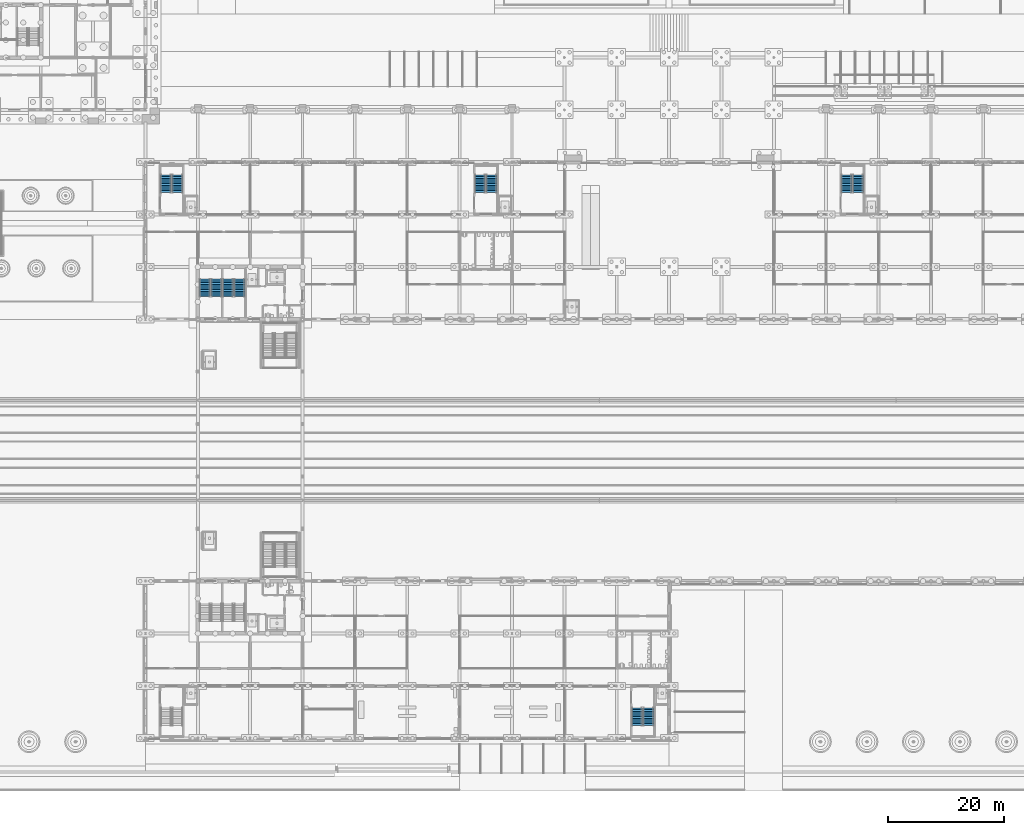
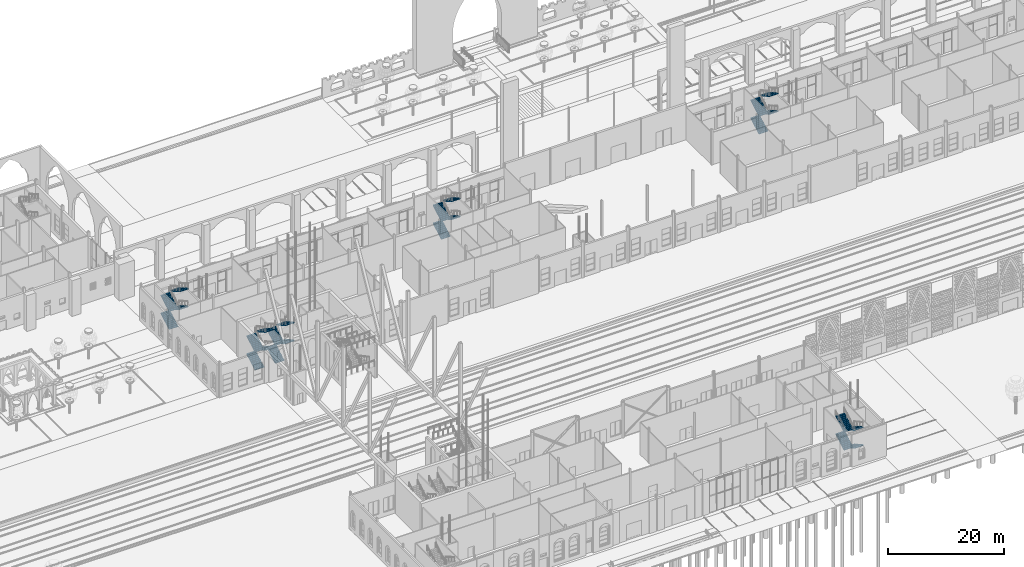
# One storey, part 140 of 250: 24 stair flights, 6 elements without a shape of their own.
"""IFC4 building model written with IfcOpenShell, lengths in metres."""

from ifc_helpers import new_model, si_unit, direction, frame, origin, place, context, subcontext, project, spatial, polyline, outline, extrude, material, type_object, element, aggregate, save


model = new_model("IFC4")

# Units and contexts
model_context = context("Model", 3, precision=1e-05, world=origin(), true_north=direction((0.0, 1.0)))
body_context = subcontext(model_context, "Body", "Model", "MODEL_VIEW")
ifc_project = project(units=[si_unit("LENGTHUNIT", "METRE"), si_unit("AREAUNIT", "SQUARE_METRE"), si_unit("VOLUMEUNIT", "CUBIC_METRE"), si_unit("PLANEANGLEUNIT", "RADIAN"), si_unit("MASSUNIT", "GRAM", prefix="KILO")], contexts=[model_context])

# Site, building, storey
site_placement = place(None, origin())
site = spatial("IfcSite", under=ifc_project, at=site_placement, CompositionType="ELEMENT")
building_placement = place(site_placement, origin())
building = spatial("IfcBuilding", under=site, at=building_placement, Name="Baradari Gate Terminus", CompositionType="ELEMENT")
storey_placement = place(building_placement, origin())
storey = spatial("IfcBuildingStorey", under=building, at=storey_placement, Name="L00", CompositionType="ELEMENT", Elevation=0.0)

# Stair, stair flights
ifc_material_1 = material(Name="Concrete C32/40", Category="concrete")
stair_type_1 = type_object("IfcStairType", Name="Exit stair ST-GN1 riser 170 x 1800", PredefinedType="DOUBLE_RETURN_STAIR", material=ifc_material_1)
stair_1_placement = place(storey_placement, origin())
stair_1 = element("IfcStair", 1, at=stair_1_placement, inside=storey, type_object=stair_type_1, Name="Stair ST-GN1 L00 to L01", PredefinedType="DOUBLE_RETURN_STAIR")
ifc_material_2 = material(Name="Concrete C32/40", Category="concrete")
stair_flight_type = type_object("IfcStairFlightType", Name="Stair flight 170/300 x 1800", PredefinedType="STRAIGHT", material=ifc_material_2)
stair_flight_1_placement = place(storey_placement, frame((73.199951171875, 84.89990234375, 0.0), z_axis=(0.0, 0.0, 1.0), x_axis=(0.0, 1.0, 0.0)))
stair_flight_1 = element("IfcStairFlight", 2, at=stair_flight_1_placement, type_object=stair_flight_type, Name="ST-GN1 flight 1", NumberOfRisers=11, NumberOfTreads=10, PredefinedType="STRAIGHT", RiserHeight=0.170455, TreadLength=0.3, context=body_context, shape_type="SweptSolid", body=[
    extrude(outline(polyline([(0.0, 0.0), (0.0, 0.17041015625), (0.300048828125, 0.17041015625), (0.300048828125, 0.3408203125), (0.60009765625, 0.3408203125), (0.60009765625, 0.511474609375), (0.89990234375, 0.511474609375), (0.89990234375, 0.681884765625), (1.199951171875, 0.681884765625), (1.199951171875, 0.852294921875), (1.5, 0.852294921875), (1.5, 1.022705078125), (1.800048828125, 1.022705078125), (1.800048828125, 1.193115234375), (2.10009765625, 1.193115234375), (2.10009765625, 1.363525390625), (2.39990234375, 1.363525390625), (2.39990234375, 1.5341796875), (2.699951171875, 1.5341796875), (2.699951171875, 1.70458984375), (3.0, 1.70458984375), (3.0, 1.875), (3.0, 1.5322265625), (0.303466796875, 0.0), (0.0, 0.0)])), frame((0.0, 0.89990234375, 0.0), z_axis=(0.0, -1.0, 0.0), x_axis=(1.0, 0.0, 0.0)), (0.0, 0.0, 1.0), 1.800048828125),
])
stair_flight_2_placement = place(storey_placement, frame((75.199951171875, 87.89990234375, 1.875), z_axis=(0.0, 0.0, 1.0), x_axis=(0.0, -1.0, 0.0)))
stair_flight_2 = element("IfcStairFlight", 3, at=stair_flight_2_placement, type_object=stair_flight_type, Name="ST-GN1 flight 2", NumberOfRisers=11, NumberOfTreads=10, PredefinedType="STRAIGHT", RiserHeight=0.170455, TreadLength=0.3, context=body_context, shape_type="SweptSolid", body=[
    extrude(outline(polyline([(0.0, 0.0), (0.0, 0.17041015625), (0.300048828125, 0.17041015625), (0.300048828125, 0.3408203125), (0.60009765625, 0.3408203125), (0.60009765625, 0.511474609375), (0.89990234375, 0.511474609375), (0.89990234375, 0.681884765625), (1.199951171875, 0.681884765625), (1.199951171875, 0.852294921875), (1.5, 0.852294921875), (1.5, 1.022705078125), (1.800048828125, 1.022705078125), (1.800048828125, 1.193115234375), (2.10009765625, 1.193115234375), (2.10009765625, 1.363525390625), (2.39990234375, 1.363525390625), (2.39990234375, 1.5341796875), (2.699951171875, 1.5341796875), (2.699951171875, 1.70458984375), (3.0, 1.70458984375), (3.0, 1.875), (3.0, 1.5322265625), (0.303466796875, 0.0), (0.0, 0.0)])), frame((0.0, 0.89990234375, 0.0), z_axis=(0.0, -1.0, 0.0), x_axis=(1.0, 0.0, 0.0)), (0.0, 0.0, 1.0), 1.800048828125),
])
stair_flight_3_placement = place(storey_placement, frame((73.199951171875, 84.89990234375, 3.75), z_axis=(0.0, 0.0, 1.0), x_axis=(0.0, 1.0, 0.0)))
stair_flight_3 = element("IfcStairFlight", 4, at=stair_flight_3_placement, type_object=stair_flight_type, Name="ST-GN1 flight 3", NumberOfRisers=11, NumberOfTreads=10, PredefinedType="STRAIGHT", RiserHeight=0.170455, TreadLength=0.3, context=body_context, shape_type="SweptSolid", body=[
    extrude(outline(polyline([(0.0, 0.0), (0.0, 0.17041015625), (0.300048828125, 0.17041015625), (0.300048828125, 0.3408203125), (0.60009765625, 0.3408203125), (0.60009765625, 0.511474609375), (0.89990234375, 0.511474609375), (0.89990234375, 0.681884765625), (1.199951171875, 0.681884765625), (1.199951171875, 0.852294921875), (1.5, 0.852294921875), (1.5, 1.022705078125), (1.800048828125, 1.022705078125), (1.800048828125, 1.193115234375), (2.10009765625, 1.193115234375), (2.10009765625, 1.363525390625), (2.39990234375, 1.363525390625), (2.39990234375, 1.5341796875), (2.699951171875, 1.5341796875), (2.699951171875, 1.70458984375), (3.0, 1.70458984375), (3.0, 1.875), (3.0, 1.5322265625), (0.303466796875, 0.0), (0.0, 0.0)])), frame((0.0, 0.89990234375, 0.0), z_axis=(0.0, -1.0, 0.0), x_axis=(1.0, 0.0, 0.0)), (0.0, 0.0, 1.0), 1.800048828125),
])
stair_flight_4_placement = place(storey_placement, frame((75.199951171875, 87.89990234375, 5.625), z_axis=(0.0, 0.0, 1.0), x_axis=(0.0, -1.0, 0.0)))
stair_flight_4 = element("IfcStairFlight", 5, at=stair_flight_4_placement, type_object=stair_flight_type, Name="ST-GN1 flight 4", NumberOfRisers=11, NumberOfTreads=10, PredefinedType="STRAIGHT", RiserHeight=0.170455, TreadLength=0.3, context=body_context, shape_type="SweptSolid", body=[
    extrude(outline(polyline([(0.0, 0.0), (0.0, 0.17041015625), (0.300048828125, 0.17041015625), (0.300048828125, 0.3408203125), (0.60009765625, 0.3408203125), (0.60009765625, 0.511474609375), (0.89990234375, 0.511474609375), (0.89990234375, 0.681884765625), (1.199951171875, 0.681884765625), (1.199951171875, 0.852294921875), (1.5, 0.852294921875), (1.5, 1.022705078125), (1.800048828125, 1.022705078125), (1.800048828125, 1.193115234375), (2.10009765625, 1.193115234375), (2.10009765625, 1.363525390625), (2.39990234375, 1.363525390625), (2.39990234375, 1.5341796875), (2.699951171875, 1.5341796875), (2.699951171875, 1.70458984375), (3.0, 1.70458984375), (3.0, 1.875), (3.0, 1.5322265625), (0.303466796875, 0.0), (0.0, 0.0)])), frame((0.0, 0.89990234375, 0.0), z_axis=(0.0, -1.0, 0.0), x_axis=(1.0, 0.0, 0.0)), (0.0, 0.0, 1.0), 1.800048828125),
])
aggregate(stair_1, [stair_flight_1, stair_flight_2, stair_flight_3, stair_flight_4])

ifc_material_3 = material(Name="Concrete C32/40", Category="concrete")
stair_type_2 = type_object("IfcStairType", Name="Exit stair ST-GN2 riser 170 x 1800", PredefinedType="DOUBLE_RETURN_STAIR", material=ifc_material_3)
stair_2_placement = place(storey_placement, origin())
stair_2 = element("IfcStair", 6, at=stair_2_placement, inside=storey, type_object=stair_type_2, Name="Stair ST-GN2 L00 to L01", PredefinedType="DOUBLE_RETURN_STAIR")
stair_flight_5_placement = place(storey_placement, frame((77.199951171875, 84.89990234375, 0.0), z_axis=(0.0, 0.0, 1.0), x_axis=(0.0, 1.0, 0.0)))
stair_flight_5 = element("IfcStairFlight", 7, at=stair_flight_5_placement, type_object=stair_flight_type, Name="ST-GN2 flight 1", NumberOfRisers=11, NumberOfTreads=10, PredefinedType="STRAIGHT", RiserHeight=0.170455, TreadLength=0.3, context=body_context, shape_type="SweptSolid", body=[
    extrude(outline(polyline([(0.0, 0.0), (0.0, 0.17041015625), (0.300048828125, 0.17041015625), (0.300048828125, 0.3408203125), (0.60009765625, 0.3408203125), (0.60009765625, 0.511474609375), (0.89990234375, 0.511474609375), (0.89990234375, 0.681884765625), (1.199951171875, 0.681884765625), (1.199951171875, 0.852294921875), (1.5, 0.852294921875), (1.5, 1.022705078125), (1.800048828125, 1.022705078125), (1.800048828125, 1.193115234375), (2.10009765625, 1.193115234375), (2.10009765625, 1.363525390625), (2.39990234375, 1.363525390625), (2.39990234375, 1.5341796875), (2.699951171875, 1.5341796875), (2.699951171875, 1.70458984375), (3.0, 1.70458984375), (3.0, 1.875), (3.0, 1.5322265625), (0.303466796875, 0.0), (0.0, 0.0)])), frame((0.0, 0.89990234375, 0.0), z_axis=(0.0, -1.0, 0.0), x_axis=(1.0, 0.0, 0.0)), (0.0, 0.0, 1.0), 1.800048828125),
])
stair_flight_6_placement = place(storey_placement, frame((79.199951171875, 87.89990234375, 1.875), z_axis=(0.0, 0.0, 1.0), x_axis=(0.0, -1.0, 0.0)))
stair_flight_6 = element("IfcStairFlight", 8, at=stair_flight_6_placement, type_object=stair_flight_type, Name="ST-GN2 flight 2", NumberOfRisers=11, NumberOfTreads=10, PredefinedType="STRAIGHT", RiserHeight=0.170455, TreadLength=0.3, context=body_context, shape_type="SweptSolid", body=[
    extrude(outline(polyline([(0.0, 0.0), (0.0, 0.17041015625), (0.300048828125, 0.17041015625), (0.300048828125, 0.3408203125), (0.60009765625, 0.3408203125), (0.60009765625, 0.511474609375), (0.89990234375, 0.511474609375), (0.89990234375, 0.681884765625), (1.199951171875, 0.681884765625), (1.199951171875, 0.852294921875), (1.5, 0.852294921875), (1.5, 1.022705078125), (1.800048828125, 1.022705078125), (1.800048828125, 1.193115234375), (2.10009765625, 1.193115234375), (2.10009765625, 1.363525390625), (2.39990234375, 1.363525390625), (2.39990234375, 1.5341796875), (2.699951171875, 1.5341796875), (2.699951171875, 1.70458984375), (3.0, 1.70458984375), (3.0, 1.875), (3.0, 1.5322265625), (0.303466796875, 0.0), (0.0, 0.0)])), frame((0.0, 0.89990234375, 0.0), z_axis=(0.0, -1.0, 0.0), x_axis=(1.0, 0.0, 0.0)), (0.0, 0.0, 1.0), 1.800048828125),
])
stair_flight_7_placement = place(storey_placement, frame((77.199951171875, 84.89990234375, 3.75), z_axis=(0.0, 0.0, 1.0), x_axis=(0.0, 1.0, 0.0)))
stair_flight_7 = element("IfcStairFlight", 9, at=stair_flight_7_placement, type_object=stair_flight_type, Name="ST-GN2 flight 3", NumberOfRisers=11, NumberOfTreads=10, PredefinedType="STRAIGHT", RiserHeight=0.170455, TreadLength=0.3, context=body_context, shape_type="SweptSolid", body=[
    extrude(outline(polyline([(0.0, 0.0), (0.0, 0.17041015625), (0.300048828125, 0.17041015625), (0.300048828125, 0.3408203125), (0.60009765625, 0.3408203125), (0.60009765625, 0.511474609375), (0.89990234375, 0.511474609375), (0.89990234375, 0.681884765625), (1.199951171875, 0.681884765625), (1.199951171875, 0.852294921875), (1.5, 0.852294921875), (1.5, 1.022705078125), (1.800048828125, 1.022705078125), (1.800048828125, 1.193115234375), (2.10009765625, 1.193115234375), (2.10009765625, 1.363525390625), (2.39990234375, 1.363525390625), (2.39990234375, 1.5341796875), (2.699951171875, 1.5341796875), (2.699951171875, 1.70458984375), (3.0, 1.70458984375), (3.0, 1.875), (3.0, 1.5322265625), (0.303466796875, 0.0), (0.0, 0.0)])), frame((0.0, 0.89990234375, 0.0), z_axis=(0.0, -1.0, 0.0), x_axis=(1.0, 0.0, 0.0)), (0.0, 0.0, 1.0), 1.800048828125),
])
stair_flight_8_placement = place(storey_placement, frame((79.199951171875, 87.89990234375, 5.625), z_axis=(0.0, 0.0, 1.0), x_axis=(0.0, -1.0, 0.0)))
stair_flight_8 = element("IfcStairFlight", 10, at=stair_flight_8_placement, type_object=stair_flight_type, Name="ST-GN2 flight 4", NumberOfRisers=11, NumberOfTreads=10, PredefinedType="STRAIGHT", RiserHeight=0.170455, TreadLength=0.3, context=body_context, shape_type="SweptSolid", body=[
    extrude(outline(polyline([(0.0, 0.0), (0.0, 0.17041015625), (0.300048828125, 0.17041015625), (0.300048828125, 0.3408203125), (0.60009765625, 0.3408203125), (0.60009765625, 0.511474609375), (0.89990234375, 0.511474609375), (0.89990234375, 0.681884765625), (1.199951171875, 0.681884765625), (1.199951171875, 0.852294921875), (1.5, 0.852294921875), (1.5, 1.022705078125), (1.800048828125, 1.022705078125), (1.800048828125, 1.193115234375), (2.10009765625, 1.193115234375), (2.10009765625, 1.363525390625), (2.39990234375, 1.363525390625), (2.39990234375, 1.5341796875), (2.699951171875, 1.5341796875), (2.699951171875, 1.70458984375), (3.0, 1.70458984375), (3.0, 1.875), (3.0, 1.5322265625), (0.303466796875, 0.0), (0.0, 0.0)])), frame((0.0, 0.89990234375, 0.0), z_axis=(0.0, -1.0, 0.0), x_axis=(1.0, 0.0, 0.0)), (0.0, 0.0, 1.0), 1.800048828125),
])
aggregate(stair_2, [stair_flight_5, stair_flight_6, stair_flight_7, stair_flight_8])

ifc_material_4 = material(Name="Concrete C32/40", Category="concrete")
stair_type_3 = type_object("IfcStairType", Name="Exit stair ST-H1 riser 170 x 1800", PredefinedType="DOUBLE_RETURN_STAIR", material=ifc_material_4)
stair_3_placement = place(storey_placement, origin())
stair_3 = element("IfcStair", 11, at=stair_3_placement, inside=storey, type_object=stair_type_3, Name="Stair ST-H1 L00 to L01", PredefinedType="DOUBLE_RETURN_STAIR")
stair_flight_9_placement = place(storey_placement, frame((66.5, 102.800048828125, 0.0), z_axis=(0.0, 0.0, 1.0), x_axis=(0.0, 1.0, 0.0)))
stair_flight_9 = element("IfcStairFlight", 12, at=stair_flight_9_placement, type_object=stair_flight_type, Name="ST-H1 flight 1", NumberOfRisers=11, NumberOfTreads=10, PredefinedType="STRAIGHT", RiserHeight=0.170455, TreadLength=0.3, context=body_context, shape_type="SweptSolid", body=[
    extrude(outline(polyline([(0.0, 0.0), (0.0, 0.17041015625), (0.300048828125, 0.17041015625), (0.300048828125, 0.3408203125), (0.60009765625, 0.3408203125), (0.60009765625, 0.511474609375), (0.89990234375, 0.511474609375), (0.89990234375, 0.681884765625), (1.199951171875, 0.681884765625), (1.199951171875, 0.852294921875), (1.5, 0.852294921875), (1.5, 1.022705078125), (1.800048828125, 1.022705078125), (1.800048828125, 1.193115234375), (2.10009765625, 1.193115234375), (2.10009765625, 1.363525390625), (2.39990234375, 1.363525390625), (2.39990234375, 1.5341796875), (2.699951171875, 1.5341796875), (2.699951171875, 1.70458984375), (3.0, 1.70458984375), (3.0, 1.875), (3.0, 1.5322265625), (0.303466796875, 0.0), (0.0, 0.0)])), frame((0.0, 0.89990234375, 0.0), z_axis=(0.0, -1.0, 0.0), x_axis=(1.0, 0.0, 0.0)), (0.0, 0.0, 1.0), 1.800048828125),
])
stair_flight_10_placement = place(storey_placement, frame((68.5, 105.800048828125, 1.875), z_axis=(0.0, 0.0, 1.0), x_axis=(0.0, -1.0, 0.0)))
stair_flight_10 = element("IfcStairFlight", 13, at=stair_flight_10_placement, type_object=stair_flight_type, Name="ST-H1 flight 2", NumberOfRisers=11, NumberOfTreads=10, PredefinedType="STRAIGHT", RiserHeight=0.170455, TreadLength=0.3, context=body_context, shape_type="SweptSolid", body=[
    extrude(outline(polyline([(0.0, 0.0), (0.0, 0.17041015625), (0.300048828125, 0.17041015625), (0.300048828125, 0.3408203125), (0.60009765625, 0.3408203125), (0.60009765625, 0.511474609375), (0.89990234375, 0.511474609375), (0.89990234375, 0.681884765625), (1.199951171875, 0.681884765625), (1.199951171875, 0.852294921875), (1.5, 0.852294921875), (1.5, 1.022705078125), (1.800048828125, 1.022705078125), (1.800048828125, 1.193115234375), (2.10009765625, 1.193115234375), (2.10009765625, 1.363525390625), (2.39990234375, 1.363525390625), (2.39990234375, 1.5341796875), (2.699951171875, 1.5341796875), (2.699951171875, 1.70458984375), (3.0, 1.70458984375), (3.0, 1.875), (3.0, 1.5322265625), (0.303466796875, 0.0), (0.0, 0.0)])), frame((0.0, 0.89990234375, 0.0), z_axis=(0.0, -1.0, 0.0), x_axis=(1.0, 0.0, 0.0)), (0.0, 0.0, 1.0), 1.800048828125),
])
stair_flight_11_placement = place(storey_placement, frame((66.5, 102.800048828125, 3.75), z_axis=(0.0, 0.0, 1.0), x_axis=(0.0, 1.0, 0.0)))
stair_flight_11 = element("IfcStairFlight", 14, at=stair_flight_11_placement, type_object=stair_flight_type, Name="ST-H1 flight 3", NumberOfRisers=11, NumberOfTreads=10, PredefinedType="STRAIGHT", RiserHeight=0.170455, TreadLength=0.3, context=body_context, shape_type="SweptSolid", body=[
    extrude(outline(polyline([(0.0, 0.0), (0.0, 0.17041015625), (0.300048828125, 0.17041015625), (0.300048828125, 0.3408203125), (0.60009765625, 0.3408203125), (0.60009765625, 0.511474609375), (0.89990234375, 0.511474609375), (0.89990234375, 0.681884765625), (1.199951171875, 0.681884765625), (1.199951171875, 0.852294921875), (1.5, 0.852294921875), (1.5, 1.022705078125), (1.800048828125, 1.022705078125), (1.800048828125, 1.193115234375), (2.10009765625, 1.193115234375), (2.10009765625, 1.363525390625), (2.39990234375, 1.363525390625), (2.39990234375, 1.5341796875), (2.699951171875, 1.5341796875), (2.699951171875, 1.70458984375), (3.0, 1.70458984375), (3.0, 1.875), (3.0, 1.5322265625), (0.303466796875, 0.0), (0.0, 0.0)])), frame((0.0, 0.89990234375, 0.0), z_axis=(0.0, -1.0, 0.0), x_axis=(1.0, 0.0, 0.0)), (0.0, 0.0, 1.0), 1.800048828125),
])
stair_flight_12_placement = place(storey_placement, frame((68.5, 105.800048828125, 5.625), z_axis=(0.0, 0.0, 1.0), x_axis=(0.0, -1.0, 0.0)))
stair_flight_12 = element("IfcStairFlight", 15, at=stair_flight_12_placement, type_object=stair_flight_type, Name="ST-H1 flight 4", NumberOfRisers=11, NumberOfTreads=10, PredefinedType="STRAIGHT", RiserHeight=0.170455, TreadLength=0.3, context=body_context, shape_type="SweptSolid", body=[
    extrude(outline(polyline([(0.0, 0.0), (0.0, 0.17041015625), (0.300048828125, 0.17041015625), (0.300048828125, 0.3408203125), (0.60009765625, 0.3408203125), (0.60009765625, 0.511474609375), (0.89990234375, 0.511474609375), (0.89990234375, 0.681884765625), (1.199951171875, 0.681884765625), (1.199951171875, 0.852294921875), (1.5, 0.852294921875), (1.5, 1.022705078125), (1.800048828125, 1.022705078125), (1.800048828125, 1.193115234375), (2.10009765625, 1.193115234375), (2.10009765625, 1.363525390625), (2.39990234375, 1.363525390625), (2.39990234375, 1.5341796875), (2.699951171875, 1.5341796875), (2.699951171875, 1.70458984375), (3.0, 1.70458984375), (3.0, 1.875), (3.0, 1.5322265625), (0.303466796875, 0.0), (0.0, 0.0)])), frame((0.0, 0.89990234375, 0.0), z_axis=(0.0, -1.0, 0.0), x_axis=(1.0, 0.0, 0.0)), (0.0, 0.0, 1.0), 1.800048828125),
])
aggregate(stair_3, [stair_flight_9, stair_flight_10, stair_flight_11, stair_flight_12])

ifc_material_5 = material(Name="Concrete C32/40", Category="concrete")
stair_type_4 = type_object("IfcStairType", Name="Exit stair ST-H2 riser 170 x 1800", PredefinedType="DOUBLE_RETURN_STAIR", material=ifc_material_5)
stair_4_placement = place(storey_placement, origin())
stair_4 = element("IfcStair", 16, at=stair_4_placement, inside=storey, type_object=stair_type_4, Name="Stair ST-H2 L00 to L01", PredefinedType="DOUBLE_RETURN_STAIR")
stair_flight_13_placement = place(storey_placement, frame((120.5, 102.800048828125, 0.0), z_axis=(0.0, 0.0, 1.0), x_axis=(0.0, 1.0, 0.0)))
stair_flight_13 = element("IfcStairFlight", 17, at=stair_flight_13_placement, type_object=stair_flight_type, Name="ST-H2 flight 1", NumberOfRisers=11, NumberOfTreads=10, PredefinedType="STRAIGHT", RiserHeight=0.170455, TreadLength=0.3, context=body_context, shape_type="SweptSolid", body=[
    extrude(outline(polyline([(0.0, 0.0), (0.0, 0.17041015625), (0.300048828125, 0.17041015625), (0.300048828125, 0.3408203125), (0.60009765625, 0.3408203125), (0.60009765625, 0.511474609375), (0.89990234375, 0.511474609375), (0.89990234375, 0.681884765625), (1.199951171875, 0.681884765625), (1.199951171875, 0.852294921875), (1.5, 0.852294921875), (1.5, 1.022705078125), (1.800048828125, 1.022705078125), (1.800048828125, 1.193115234375), (2.10009765625, 1.193115234375), (2.10009765625, 1.363525390625), (2.39990234375, 1.363525390625), (2.39990234375, 1.5341796875), (2.699951171875, 1.5341796875), (2.699951171875, 1.70458984375), (3.0, 1.70458984375), (3.0, 1.875), (3.0, 1.5322265625), (0.303466796875, 0.0), (0.0, 0.0)])), frame((0.0, 0.89990234375, 0.0), z_axis=(0.0, -1.0, 0.0), x_axis=(1.0, 0.0, 0.0)), (0.0, 0.0, 1.0), 1.800048828125),
])
stair_flight_14_placement = place(storey_placement, frame((122.5, 105.800048828125, 1.875), z_axis=(0.0, 0.0, 1.0), x_axis=(0.0, -1.0, 0.0)))
stair_flight_14 = element("IfcStairFlight", 18, at=stair_flight_14_placement, type_object=stair_flight_type, Name="ST-H2 flight 2", NumberOfRisers=11, NumberOfTreads=10, PredefinedType="STRAIGHT", RiserHeight=0.170455, TreadLength=0.3, context=body_context, shape_type="SweptSolid", body=[
    extrude(outline(polyline([(0.0, 0.0), (0.0, 0.17041015625), (0.300048828125, 0.17041015625), (0.300048828125, 0.3408203125), (0.60009765625, 0.3408203125), (0.60009765625, 0.511474609375), (0.89990234375, 0.511474609375), (0.89990234375, 0.681884765625), (1.199951171875, 0.681884765625), (1.199951171875, 0.852294921875), (1.5, 0.852294921875), (1.5, 1.022705078125), (1.800048828125, 1.022705078125), (1.800048828125, 1.193115234375), (2.10009765625, 1.193115234375), (2.10009765625, 1.363525390625), (2.39990234375, 1.363525390625), (2.39990234375, 1.5341796875), (2.699951171875, 1.5341796875), (2.699951171875, 1.70458984375), (3.0, 1.70458984375), (3.0, 1.875), (3.0, 1.5322265625), (0.303466796875, 0.0), (0.0, 0.0)])), frame((0.0, 0.89990234375, 0.0), z_axis=(0.0, -1.0, 0.0), x_axis=(1.0, 0.0, 0.0)), (0.0, 0.0, 1.0), 1.800048828125),
])
stair_flight_15_placement = place(storey_placement, frame((120.5, 102.800048828125, 3.75), z_axis=(0.0, 0.0, 1.0), x_axis=(0.0, 1.0, 0.0)))
stair_flight_15 = element("IfcStairFlight", 19, at=stair_flight_15_placement, type_object=stair_flight_type, Name="ST-H2 flight 3", NumberOfRisers=11, NumberOfTreads=10, PredefinedType="STRAIGHT", RiserHeight=0.170455, TreadLength=0.3, context=body_context, shape_type="SweptSolid", body=[
    extrude(outline(polyline([(0.0, 0.0), (0.0, 0.17041015625), (0.300048828125, 0.17041015625), (0.300048828125, 0.3408203125), (0.60009765625, 0.3408203125), (0.60009765625, 0.511474609375), (0.89990234375, 0.511474609375), (0.89990234375, 0.681884765625), (1.199951171875, 0.681884765625), (1.199951171875, 0.852294921875), (1.5, 0.852294921875), (1.5, 1.022705078125), (1.800048828125, 1.022705078125), (1.800048828125, 1.193115234375), (2.10009765625, 1.193115234375), (2.10009765625, 1.363525390625), (2.39990234375, 1.363525390625), (2.39990234375, 1.5341796875), (2.699951171875, 1.5341796875), (2.699951171875, 1.70458984375), (3.0, 1.70458984375), (3.0, 1.875), (3.0, 1.5322265625), (0.303466796875, 0.0), (0.0, 0.0)])), frame((0.0, 0.89990234375, 0.0), z_axis=(0.0, -1.0, 0.0), x_axis=(1.0, 0.0, 0.0)), (0.0, 0.0, 1.0), 1.800048828125),
])
stair_flight_16_placement = place(storey_placement, frame((122.5, 105.800048828125, 5.625), z_axis=(0.0, 0.0, 1.0), x_axis=(0.0, -1.0, 0.0)))
stair_flight_16 = element("IfcStairFlight", 20, at=stair_flight_16_placement, type_object=stair_flight_type, Name="ST-H2 flight 4", NumberOfRisers=11, NumberOfTreads=10, PredefinedType="STRAIGHT", RiserHeight=0.170455, TreadLength=0.3, context=body_context, shape_type="SweptSolid", body=[
    extrude(outline(polyline([(0.0, 0.0), (0.0, 0.17041015625), (0.300048828125, 0.17041015625), (0.300048828125, 0.3408203125), (0.60009765625, 0.3408203125), (0.60009765625, 0.511474609375), (0.89990234375, 0.511474609375), (0.89990234375, 0.681884765625), (1.199951171875, 0.681884765625), (1.199951171875, 0.852294921875), (1.5, 0.852294921875), (1.5, 1.022705078125), (1.800048828125, 1.022705078125), (1.800048828125, 1.193115234375), (2.10009765625, 1.193115234375), (2.10009765625, 1.363525390625), (2.39990234375, 1.363525390625), (2.39990234375, 1.5341796875), (2.699951171875, 1.5341796875), (2.699951171875, 1.70458984375), (3.0, 1.70458984375), (3.0, 1.875), (3.0, 1.5322265625), (0.303466796875, 0.0), (0.0, 0.0)])), frame((0.0, 0.89990234375, 0.0), z_axis=(0.0, -1.0, 0.0), x_axis=(1.0, 0.0, 0.0)), (0.0, 0.0, 1.0), 1.800048828125),
])
aggregate(stair_4, [stair_flight_13, stair_flight_14, stair_flight_15, stair_flight_16])

ifc_material_6 = material(Name="Concrete C32/40", Category="concrete")
stair_type_5 = type_object("IfcStairType", Name="Exit stair ST-H3 riser 170 x 1800", PredefinedType="DOUBLE_RETURN_STAIR", material=ifc_material_6)
stair_5_placement = place(storey_placement, origin())
stair_5 = element("IfcStair", 21, at=stair_5_placement, inside=storey, type_object=stair_type_5, Name="Stair ST-H3 L00 to L01", PredefinedType="DOUBLE_RETURN_STAIR")
stair_flight_17_placement = place(storey_placement, frame((183.5, 102.800048828125, 0.0), z_axis=(0.0, 0.0, 1.0), x_axis=(0.0, 1.0, 0.0)))
stair_flight_17 = element("IfcStairFlight", 22, at=stair_flight_17_placement, type_object=stair_flight_type, Name="ST-H3 flight 1", NumberOfRisers=11, NumberOfTreads=10, PredefinedType="STRAIGHT", RiserHeight=0.170455, TreadLength=0.3, context=body_context, shape_type="SweptSolid", body=[
    extrude(outline(polyline([(0.0, 0.0), (0.0, 0.17041015625), (0.300048828125, 0.17041015625), (0.300048828125, 0.3408203125), (0.60009765625, 0.3408203125), (0.60009765625, 0.511474609375), (0.89990234375, 0.511474609375), (0.89990234375, 0.681884765625), (1.199951171875, 0.681884765625), (1.199951171875, 0.852294921875), (1.5, 0.852294921875), (1.5, 1.022705078125), (1.800048828125, 1.022705078125), (1.800048828125, 1.193115234375), (2.10009765625, 1.193115234375), (2.10009765625, 1.363525390625), (2.39990234375, 1.363525390625), (2.39990234375, 1.5341796875), (2.699951171875, 1.5341796875), (2.699951171875, 1.70458984375), (3.0, 1.70458984375), (3.0, 1.875), (3.0, 1.5322265625), (0.303466796875, 0.0), (0.0, 0.0)])), frame((0.0, 0.89990234375, 0.0), z_axis=(0.0, -1.0, 0.0), x_axis=(1.0, 0.0, 0.0)), (0.0, 0.0, 1.0), 1.800048828125),
])
stair_flight_18_placement = place(storey_placement, frame((185.5, 105.800048828125, 1.875), z_axis=(0.0, 0.0, 1.0), x_axis=(0.0, -1.0, 0.0)))
stair_flight_18 = element("IfcStairFlight", 23, at=stair_flight_18_placement, type_object=stair_flight_type, Name="ST-H3 flight 2", NumberOfRisers=11, NumberOfTreads=10, PredefinedType="STRAIGHT", RiserHeight=0.170455, TreadLength=0.3, context=body_context, shape_type="SweptSolid", body=[
    extrude(outline(polyline([(0.0, 0.0), (0.0, 0.17041015625), (0.300048828125, 0.17041015625), (0.300048828125, 0.3408203125), (0.60009765625, 0.3408203125), (0.60009765625, 0.511474609375), (0.89990234375, 0.511474609375), (0.89990234375, 0.681884765625), (1.199951171875, 0.681884765625), (1.199951171875, 0.852294921875), (1.5, 0.852294921875), (1.5, 1.022705078125), (1.800048828125, 1.022705078125), (1.800048828125, 1.193115234375), (2.10009765625, 1.193115234375), (2.10009765625, 1.363525390625), (2.39990234375, 1.363525390625), (2.39990234375, 1.5341796875), (2.699951171875, 1.5341796875), (2.699951171875, 1.70458984375), (3.0, 1.70458984375), (3.0, 1.875), (3.0, 1.5322265625), (0.303466796875, 0.0), (0.0, 0.0)])), frame((0.0, 0.89990234375, 0.0), z_axis=(0.0, -1.0, 0.0), x_axis=(1.0, 0.0, 0.0)), (0.0, 0.0, 1.0), 1.800048828125),
])
stair_flight_19_placement = place(storey_placement, frame((183.5, 102.800048828125, 3.75), z_axis=(0.0, 0.0, 1.0), x_axis=(0.0, 1.0, 0.0)))
stair_flight_19 = element("IfcStairFlight", 24, at=stair_flight_19_placement, type_object=stair_flight_type, Name="ST-H3 flight 3", NumberOfRisers=11, NumberOfTreads=10, PredefinedType="STRAIGHT", RiserHeight=0.170455, TreadLength=0.3, context=body_context, shape_type="SweptSolid", body=[
    extrude(outline(polyline([(0.0, 0.0), (0.0, 0.17041015625), (0.300048828125, 0.17041015625), (0.300048828125, 0.3408203125), (0.60009765625, 0.3408203125), (0.60009765625, 0.511474609375), (0.89990234375, 0.511474609375), (0.89990234375, 0.681884765625), (1.199951171875, 0.681884765625), (1.199951171875, 0.852294921875), (1.5, 0.852294921875), (1.5, 1.022705078125), (1.800048828125, 1.022705078125), (1.800048828125, 1.193115234375), (2.10009765625, 1.193115234375), (2.10009765625, 1.363525390625), (2.39990234375, 1.363525390625), (2.39990234375, 1.5341796875), (2.699951171875, 1.5341796875), (2.699951171875, 1.70458984375), (3.0, 1.70458984375), (3.0, 1.875), (3.0, 1.5322265625), (0.303466796875, 0.0), (0.0, 0.0)])), frame((0.0, 0.89990234375, 0.0), z_axis=(0.0, -1.0, 0.0), x_axis=(1.0, 0.0, 0.0)), (0.0, 0.0, 1.0), 1.800048828125),
])
stair_flight_20_placement = place(storey_placement, frame((185.5, 105.800048828125, 5.625), z_axis=(0.0, 0.0, 1.0), x_axis=(0.0, -1.0, 0.0)))
stair_flight_20 = element("IfcStairFlight", 25, at=stair_flight_20_placement, type_object=stair_flight_type, Name="ST-H3 flight 4", NumberOfRisers=11, NumberOfTreads=10, PredefinedType="STRAIGHT", RiserHeight=0.170455, TreadLength=0.3, context=body_context, shape_type="SweptSolid", body=[
    extrude(outline(polyline([(0.0, 0.0), (0.0, 0.17041015625), (0.300048828125, 0.17041015625), (0.300048828125, 0.3408203125), (0.60009765625, 0.3408203125), (0.60009765625, 0.511474609375), (0.89990234375, 0.511474609375), (0.89990234375, 0.681884765625), (1.199951171875, 0.681884765625), (1.199951171875, 0.852294921875), (1.5, 0.852294921875), (1.5, 1.022705078125), (1.800048828125, 1.022705078125), (1.800048828125, 1.193115234375), (2.10009765625, 1.193115234375), (2.10009765625, 1.363525390625), (2.39990234375, 1.363525390625), (2.39990234375, 1.5341796875), (2.699951171875, 1.5341796875), (2.699951171875, 1.70458984375), (3.0, 1.70458984375), (3.0, 1.875), (3.0, 1.5322265625), (0.303466796875, 0.0), (0.0, 0.0)])), frame((0.0, 0.89990234375, 0.0), z_axis=(0.0, -1.0, 0.0), x_axis=(1.0, 0.0, 0.0)), (0.0, 0.0, 1.0), 1.800048828125),
])
aggregate(stair_5, [stair_flight_17, stair_flight_18, stair_flight_19, stair_flight_20])

ifc_material_7 = material(Name="Concrete C32/40", Category="concrete")
stair_type_6 = type_object("IfcStairType", Name="Exit stair ST-SW2 riser 170 x 1800", PredefinedType="DOUBLE_RETURN_STAIR", material=ifc_material_7)
stair_6_placement = place(storey_placement, origin())
stair_6 = element("IfcStair", 26, at=stair_6_placement, inside=storey, type_object=stair_type_6, Name="Stair ST-SW2 L00 to L01", PredefinedType="DOUBLE_RETURN_STAIR")
stair_flight_21_placement = place(storey_placement, frame((149.5, 14.199951171875, 0.0), z_axis=(0.0, 0.0, 1.0), x_axis=(0.0, -1.0, 0.0)))
stair_flight_21 = element("IfcStairFlight", 27, at=stair_flight_21_placement, type_object=stair_flight_type, Name="ST-SW2 flight 1", NumberOfRisers=11, NumberOfTreads=10, PredefinedType="STRAIGHT", RiserHeight=0.170455, TreadLength=0.3, context=body_context, shape_type="SweptSolid", body=[
    extrude(outline(polyline([(0.0, 0.0), (0.0, 0.17041015625), (0.300048828125, 0.17041015625), (0.300048828125, 0.3408203125), (0.60009765625, 0.3408203125), (0.60009765625, 0.511474609375), (0.89990234375, 0.511474609375), (0.89990234375, 0.681884765625), (1.199951171875, 0.681884765625), (1.199951171875, 0.852294921875), (1.5, 0.852294921875), (1.5, 1.022705078125), (1.800048828125, 1.022705078125), (1.800048828125, 1.193115234375), (2.10009765625, 1.193115234375), (2.10009765625, 1.363525390625), (2.39990234375, 1.363525390625), (2.39990234375, 1.5341796875), (2.699951171875, 1.5341796875), (2.699951171875, 1.70458984375), (3.0, 1.70458984375), (3.0, 1.875), (3.0, 1.5322265625), (0.303466796875, 0.0), (0.0, 0.0)])), frame((0.0, 0.89990234375, 0.0), z_axis=(0.0, -1.0, 0.0), x_axis=(1.0, 0.0, 0.0)), (0.0, 0.0, 1.0), 1.800048828125),
])
stair_flight_22_placement = place(storey_placement, frame((147.5, 11.199951171875, 1.875), z_axis=(0.0, 0.0, 1.0), x_axis=(0.0, 1.0, 0.0)))
stair_flight_22 = element("IfcStairFlight", 28, at=stair_flight_22_placement, type_object=stair_flight_type, Name="ST-SW2 flight 2", NumberOfRisers=11, NumberOfTreads=10, PredefinedType="STRAIGHT", RiserHeight=0.170455, TreadLength=0.3, context=body_context, shape_type="SweptSolid", body=[
    extrude(outline(polyline([(0.0, 0.0), (0.0, 0.17041015625), (0.300048828125, 0.17041015625), (0.300048828125, 0.3408203125), (0.60009765625, 0.3408203125), (0.60009765625, 0.511474609375), (0.89990234375, 0.511474609375), (0.89990234375, 0.681884765625), (1.199951171875, 0.681884765625), (1.199951171875, 0.852294921875), (1.5, 0.852294921875), (1.5, 1.022705078125), (1.800048828125, 1.022705078125), (1.800048828125, 1.193115234375), (2.10009765625, 1.193115234375), (2.10009765625, 1.363525390625), (2.39990234375, 1.363525390625), (2.39990234375, 1.5341796875), (2.699951171875, 1.5341796875), (2.699951171875, 1.70458984375), (3.0, 1.70458984375), (3.0, 1.875), (3.0, 1.5322265625), (0.303466796875, 0.0), (0.0, 0.0)])), frame((0.0, 0.89990234375, 0.0), z_axis=(0.0, -1.0, 0.0), x_axis=(1.0, 0.0, 0.0)), (0.0, 0.0, 1.0), 1.800048828125),
])
stair_flight_23_placement = place(storey_placement, frame((149.5, 14.199951171875, 3.75), z_axis=(0.0, 0.0, 1.0), x_axis=(0.0, -1.0, 0.0)))
stair_flight_23 = element("IfcStairFlight", 29, at=stair_flight_23_placement, type_object=stair_flight_type, Name="ST-SW2 flight 3", NumberOfRisers=11, NumberOfTreads=10, PredefinedType="STRAIGHT", RiserHeight=0.170455, TreadLength=0.3, context=body_context, shape_type="SweptSolid", body=[
    extrude(outline(polyline([(0.0, 0.0), (0.0, 0.17041015625), (0.300048828125, 0.17041015625), (0.300048828125, 0.3408203125), (0.60009765625, 0.3408203125), (0.60009765625, 0.511474609375), (0.89990234375, 0.511474609375), (0.89990234375, 0.681884765625), (1.199951171875, 0.681884765625), (1.199951171875, 0.852294921875), (1.5, 0.852294921875), (1.5, 1.022705078125), (1.800048828125, 1.022705078125), (1.800048828125, 1.193115234375), (2.10009765625, 1.193115234375), (2.10009765625, 1.363525390625), (2.39990234375, 1.363525390625), (2.39990234375, 1.5341796875), (2.699951171875, 1.5341796875), (2.699951171875, 1.70458984375), (3.0, 1.70458984375), (3.0, 1.875), (3.0, 1.5322265625), (0.303466796875, 0.0), (0.0, 0.0)])), frame((0.0, 0.89990234375, 0.0), z_axis=(0.0, -1.0, 0.0), x_axis=(1.0, 0.0, 0.0)), (0.0, 0.0, 1.0), 1.800048828125),
])
stair_flight_24_placement = place(storey_placement, frame((147.5, 11.199951171875, 5.625), z_axis=(0.0, 0.0, 1.0), x_axis=(0.0, 1.0, 0.0)))
stair_flight_24 = element("IfcStairFlight", 30, at=stair_flight_24_placement, type_object=stair_flight_type, Name="ST-SW2 flight 4", NumberOfRisers=11, NumberOfTreads=10, PredefinedType="STRAIGHT", RiserHeight=0.170455, TreadLength=0.3, context=body_context, shape_type="SweptSolid", body=[
    extrude(outline(polyline([(0.0, 0.0), (0.0, 0.17041015625), (0.300048828125, 0.17041015625), (0.300048828125, 0.3408203125), (0.60009765625, 0.3408203125), (0.60009765625, 0.511474609375), (0.89990234375, 0.511474609375), (0.89990234375, 0.681884765625), (1.199951171875, 0.681884765625), (1.199951171875, 0.852294921875), (1.5, 0.852294921875), (1.5, 1.022705078125), (1.800048828125, 1.022705078125), (1.800048828125, 1.193115234375), (2.10009765625, 1.193115234375), (2.10009765625, 1.363525390625), (2.39990234375, 1.363525390625), (2.39990234375, 1.5341796875), (2.699951171875, 1.5341796875), (2.699951171875, 1.70458984375), (3.0, 1.70458984375), (3.0, 1.875), (3.0, 1.5322265625), (0.303466796875, 0.0), (0.0, 0.0)])), frame((0.0, 0.89990234375, 0.0), z_axis=(0.0, -1.0, 0.0), x_axis=(1.0, 0.0, 0.0)), (0.0, 0.0, 1.0), 1.800048828125),
])
aggregate(stair_6, [stair_flight_21, stair_flight_22, stair_flight_23, stair_flight_24])

save(model, "model.ifc")
